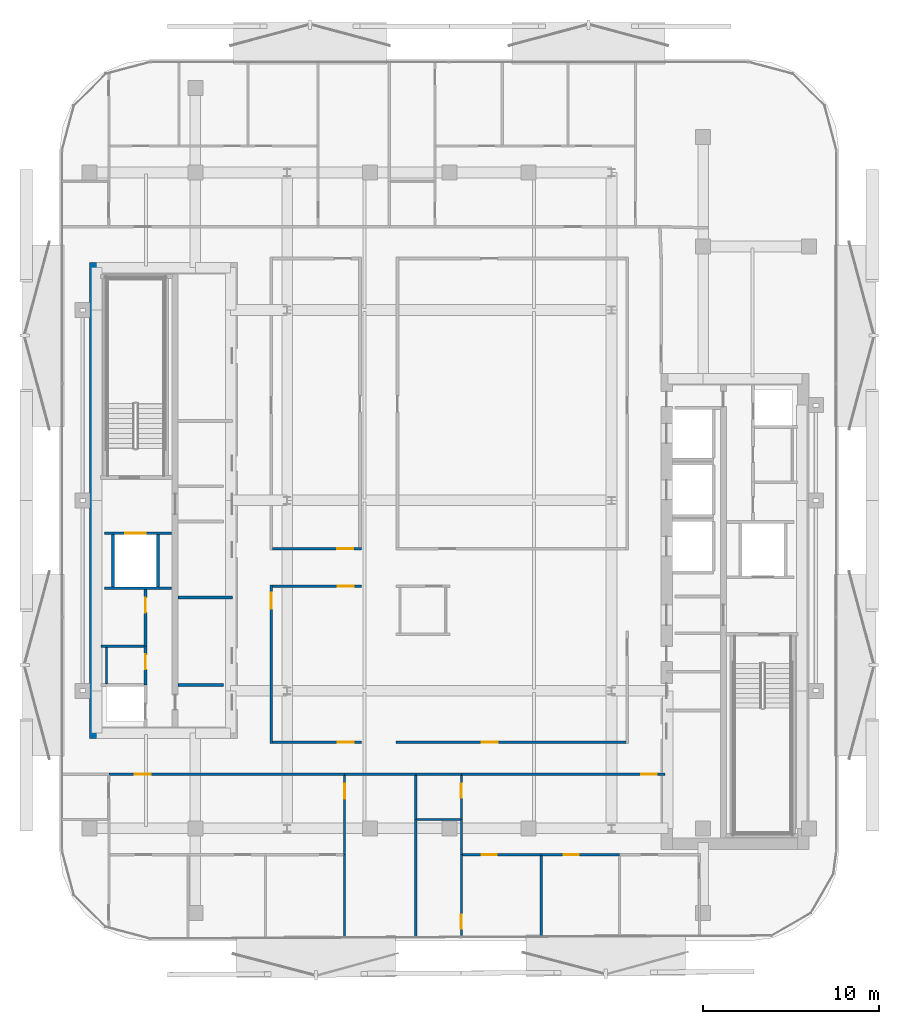
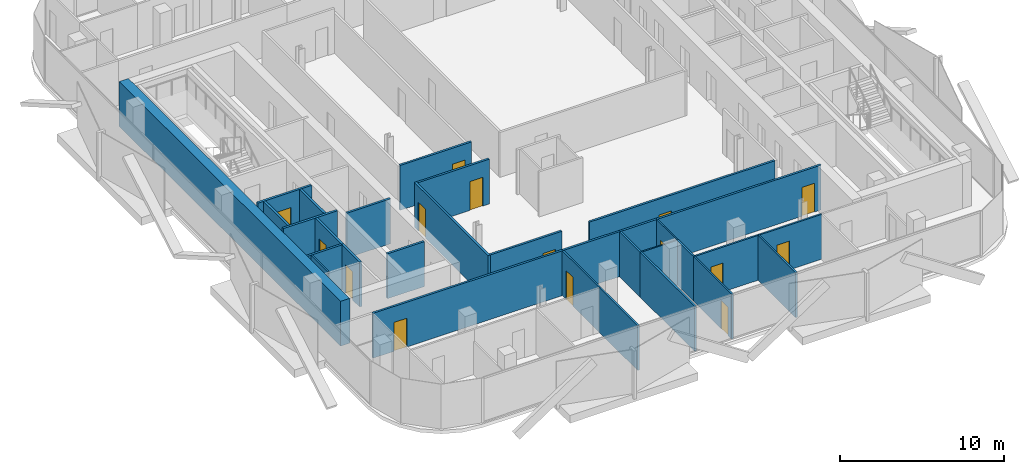
# One storey, part 3 of 14: 31 walls, 15 doors, 15 openings.
"""IFC4 building model written with IfcOpenShell, lengths in metres."""

from ifc_helpers import new_model, si_unit, direction, frame, frame_2d, origin, place, context, subcontext, project, spatial, rectangle, extrude, material, layer, layer_set, type_object, element, fill, save


model = new_model("IFC4")

# Units and contexts
model_context = context("Model", 3, precision=1e-05, world=origin(), true_north=direction((0.0, 1.0)))
body_context = subcontext(model_context, "Body", "Model", "MODEL_VIEW")
ifc_project = project(units=[si_unit("LENGTHUNIT", "METRE"), si_unit("AREAUNIT", "SQUARE_METRE"), si_unit("VOLUMEUNIT", "CUBIC_METRE"), si_unit("PLANEANGLEUNIT", "RADIAN"), si_unit("MASSUNIT", "GRAM", prefix="KILO")], contexts=[model_context])

# Site, building, storey
site_placement = place(None, origin())
site = spatial("IfcSite", under=ifc_project, at=site_placement, CompositionType="ELEMENT")
building_placement = place(site_placement, origin())
building = spatial("IfcBuilding", under=site, at=building_placement, Name="Khairoan Windgate Tower", CompositionType="ELEMENT")
storey_placement = place(building_placement, frame((0.0, 0.0, 233.199951171875)))
storey = spatial("IfcBuildingStorey", under=building, at=storey_placement, Name="L54", CompositionType="ELEMENT", Elevation=233.199951171875)

# Wall
ifc_material_1 = material(Name="Moisture-Resistant Gypsum Partition", Category="gypsum")
ifc_layer_1 = layer(ifc_material_1, 0.10009765625, Name="Moisture-Resistant Gypsum Partition")
ifc_layer_set_1 = layer_set([ifc_layer_1], Name="Moisture-Resistant Gypsum Partition")
wall_type_1 = type_object("IfcWallType", Name="Bathroom Wet-Area Partition Wall", PredefinedType="PARTITIONING", material=ifc_layer_set_1)
wall_1_placement = place(storey_placement, frame((-1.830078125, -18.10009765625, 0.0), z_axis=(0.0, 0.0, 1.0), x_axis=(1.0, 0.0, 0.0)))
element("IfcWall", 1, at=wall_1_placement, inside=storey, type_object=wall_type_1, Name="L54 Interior Partition 080", PredefinedType="PARTITIONING", context=body_context, shape_type="SweptSolid", body=[
    extrude(rectangle(XDim=2.469970703125, YDim=0.10009765625, at=frame_2d((1.23486328125, 0.0))), origin(), (0.0, 0.0, 1.0), 3.340087890625),
])

# Wall, opening, door
wall_2_placement = place(storey_placement, frame((0.68994140625, -18.10009765625, 0.0), z_axis=(0.0, 0.0, 1.0), x_axis=(0.0, 1.0, 0.0)))
wall_2 = element("IfcWall", 2, at=wall_2_placement, inside=storey, type_object=wall_type_1, Name="L54 Interior Partition 081", PredefinedType="PARTITIONING", context=body_context, shape_type="SweptSolid", body=[
    extrude(rectangle(XDim=2.5, YDim=0.10009765625, at=frame_2d((1.25, 0.0))), origin(), (0.0, 0.0, 1.0), 3.340087890625),
])
opening_1_placement = place(wall_2_placement, frame((1.239990234375, 0.0, 0.0)))
opening_1 = element("IfcOpeningElement", 3, at=opening_1_placement, cuts=wall_2, Name="Opening ID-BTH", PredefinedType="OPENING", context=body_context, shape_type="SweptSolid", body=[
    extrude(rectangle(XDim=0.800048828125, YDim=2.10009765625, at=frame_2d((0.39990234375, 1.050048828125))), frame((0.0, 0.06005859375, 0.0), z_axis=(0.0, -1.0, 0.0), x_axis=(1.0, 0.0, 0.0)), (0.0, 0.0, 1.0), 0.1201171875),
])
ifc_material_2 = material(Name="Teak Veneer Timber Leaf", Category="wood")
door_type_1 = type_object("IfcDoorType", Name="Internal Bathroom Door ID-BTH 800x2100", OperationType="NOTDEFINED", PredefinedType="DOOR", material=ifc_material_2)
door_1_placement = place(opening_1_placement, origin())
door_1 = element("IfcDoor", 4, at=door_1_placement, inside=storey, type_object=door_type_1, Name="L54 L54-56-L54-58 Door", OperationType="SINGLE_SWING_LEFT", OverallHeight=2.10009765625, OverallWidth=0.800048828125, PredefinedType="DOOR", context=body_context, shape_type="SweptSolid", body=[
    extrude(rectangle(XDim=0.800048828125, YDim=2.10009765625, at=frame_2d((0.39990234375, 1.050048828125))), frame((0.0, 0.02490234375, 0.0), z_axis=(0.0, -1.0, 0.0), x_axis=(1.0, 0.0, 0.0)), (0.0, 0.0, 1.0), 0.050048828125),
])
fill(opening_1, door_1)

# Wall
wall_3_placement = place(storey_placement, frame((-19.449951171875, -10.389892578125, 0.0), z_axis=(0.0, 0.0, 1.0), x_axis=(0.0, 1.0, 0.0)))
element("IfcWall", 5, at=wall_3_placement, inside=storey, type_object=wall_type_1, Name="L54 Wet Room Side Wall 091", PredefinedType="PARTITIONING", context=body_context, shape_type="SweptSolid", body=[
    extrude(rectangle(XDim=2.039794921875, YDim=0.10009765625, at=frame_2d((1.02001953125, 0.0))), origin(), (0.0, 0.0, 1.0), 3.340087890625),
])

# Wall, opening, door
ifc_material_3 = material(Name="Concrete C40/50", Category="concrete")
ifc_layer_2 = layer(ifc_material_3, 0.159912109375, Name="Concrete C40/50")
ifc_layer_set_2 = layer_set([ifc_layer_2], Name="Concrete C40/50")
wall_type_2 = type_object("IfcWallType", Name="Core and Hoistway Enclosure Wall", PredefinedType="STANDARD", material=ifc_layer_set_2)
wall_4_placement = place(storey_placement, frame((-19.550048828125, -1.860107421875, 0.0), z_axis=(0.0, 0.0, 1.0), x_axis=(1.0, 0.0, 0.0)))
wall_4 = element("IfcWall", 6, at=wall_4_placement, inside=storey, type_object=wall_type_2, Name="L54 Core Shaft Wall SW-FL2-L54", PredefinedType="STANDARD", context=body_context, shape_type="SweptSolid", body=[
    extrude(rectangle(XDim=3.800048828125, YDim=0.159912109375, at=frame_2d((1.89990234375, 0.0))), origin(), (0.0, 0.0, 1.0), 3.340087890625),
])
opening_2_placement = place(wall_4_placement, frame((1.179931640625, 0.0, 0.0)))
opening_2 = element("IfcOpeningElement", 7, at=opening_2_placement, cuts=wall_4, Name="Opening LD-FL", PredefinedType="OPENING", context=body_context, shape_type="SweptSolid", body=[
    extrude(rectangle(XDim=1.14990234375, YDim=2.199951171875, at=frame_2d((0.574951171875, 1.10009765625))), frame((0.0, 0.08984375, 0.0), z_axis=(0.0, -1.0, 0.0), x_axis=(1.0, 0.0, 0.0)), (0.0, 0.0, 1.0), 0.179931640625),
])
ifc_material_4 = material(Name="Steel S355", Category="steel")
door_type_2 = type_object("IfcDoorType", Name="Firefighting Lift Sliding Landing Door LD-FL 1150x2200", OperationType="DOUBLE_DOOR_SLIDING", PredefinedType="DOOR", material=ifc_material_4)
door_2_placement = place(opening_2_placement, origin())
door_2 = element("IfcDoor", 8, at=door_2_placement, inside=storey, type_object=door_type_2, Name="L54 Firefighting Lift FL2 Landing Door", OperationType="DOUBLE_DOOR_SLIDING", OverallHeight=2.199951171875, OverallWidth=1.14990234375, PredefinedType="DOOR", context=body_context, shape_type="SweptSolid", body=[
    extrude(rectangle(XDim=1.14990234375, YDim=2.199951171875, at=frame_2d((0.574951171875, 1.10009765625))), frame((0.0, 0.02490234375, 0.0), z_axis=(0.0, -1.0, 0.0), x_axis=(1.0, 0.0, 0.0)), (0.0, 0.0, 1.0), 0.050048828125),
])
fill(opening_2, door_2)

# Walls
wall_5_placement = place(storey_placement, frame((-19.550048828125, -4.97998046875, 0.0), z_axis=(0.0, 0.0, 1.0), x_axis=(1.0, 0.0, 0.0)))
element("IfcWall", 9, at=wall_5_placement, inside=storey, type_object=wall_type_2, Name="L54 Core Shaft Wall SW-FL2B-L54", PredefinedType="STANDARD", context=body_context, shape_type="SweptSolid", body=[
    extrude(rectangle(XDim=3.800048828125, YDim=0.159912109375, at=frame_2d((1.89990234375, 0.0))), origin(), (0.0, 0.0, 1.0), 3.340087890625),
])
for number, where, z_axis, x_axis, name in (
    (10, (-19.080078125, -4.89990234375, 0.0), (0.0, 0.0, 1.0), (0.0, 1.0, 0.0), "L54 Core Shaft Wall SW-FL2W-L54"),
    (11, (-16.52001953125, -4.89990234375, 0.0), (0.0, 0.0, 1.0), (0.0, 1.0, 0.0), "L54 Core Shaft Wall SW-FL2E-L54"),
):
    element("IfcWall", number, at=place(storey_placement, frame(where, z_axis=z_axis, x_axis=x_axis)), inside=storey, type_object=wall_type_2, Name=name, PredefinedType="STANDARD", context=body_context, shape_type="SweptSolid", body=[
        extrude(rectangle(XDim=2.9599609375, YDim=0.159912109375, at=frame_2d((1.47998046875, 0.0))), origin(), (0.0, 0.0, 1.0), 3.340087890625),
    ])
wall_6_placement = place(storey_placement, frame((-15.39990234375, -10.47998046875, 0.0), z_axis=(0.0, 0.0, 1.0), x_axis=(1.0, 0.0, 0.0)))
element("IfcWall", 12, at=wall_6_placement, inside=storey, type_object=wall_type_2, Name="L54 Core Shaft Wall SW-WSV-L54", PredefinedType="STANDARD", context=body_context, shape_type="SweptSolid", body=[
    extrude(rectangle(XDim=2.599853515625, YDim=0.159912109375, at=frame_2d((1.2998046875, 0.0))), origin(), (0.0, 0.0, 1.0), 3.340087890625),
])
ifc_material_5 = material(Name="Acoustic Fire-Rated Gypsum Partition", Category="gypsum")
ifc_layer_3 = layer(ifc_material_5, 0.139892578125, Name="Acoustic Fire-Rated Gypsum Partition")
ifc_layer_set_3 = layer_set([ifc_layer_3], Name="Acoustic Fire-Rated Gypsum Partition")
wall_type_3 = type_object("IfcWallType", Name="Inter-Tenancy Compartment Wall", PredefinedType="PARTITIONING", material=ifc_layer_set_3)
wall_7_placement = place(storey_placement, frame((-1.89990234375, -18.10009765625, 0.0), z_axis=(0.0, 0.0, 1.0), x_axis=(0.0, 1.0, 0.0)))
element("IfcWall", 13, at=wall_7_placement, inside=storey, type_object=wall_type_3, Name="L54 Interior Partition 076", PredefinedType="PARTITIONING", context=body_context, shape_type="SweptSolid", body=[
    extrude(rectangle(XDim=2.5, YDim=0.139892578125, at=frame_2d((1.25, 0.0))), origin(), (0.0, 0.0, 1.0), 3.340087890625),
])
wall_8_placement = place(storey_placement, frame((-1.89990234375, -24.7822265625, 0.0), z_axis=(0.0, 0.0, 1.0), x_axis=(0.0, 1.0, 0.0)))
element("IfcWall", 14, at=wall_8_placement, inside=storey, type_object=wall_type_3, Name="L54 Interior Partition 077", PredefinedType="PARTITIONING", context=body_context, shape_type="SweptSolid", body=[
    extrude(rectangle(XDim=6.68212890625, YDim=0.139892578125, at=frame_2d((3.341064453125, 0.0))), origin(), (0.0, 0.0, 1.0), 3.340087890625),
])

# Wall, opening, door
ifc_material_6 = material(Name="Gypsum Stud Partition", Category="gypsum")
ifc_layer_4 = layer(ifc_material_6, 0.1201171875, Name="Gypsum Stud Partition")
ifc_layer_set_4 = layer_set([ifc_layer_4], Name="Gypsum Stud Partition")
wall_type_4 = type_object("IfcWallType", Name="Internal Room Partition Wall", PredefinedType="PARTITIONING", material=ifc_layer_set_4)
wall_9_placement = place(storey_placement, frame((-5.93994140625, -20.10009765625, 0.0), z_axis=(0.0, 0.0, 1.0), x_axis=(0.0, 1.0, 0.0)))
wall_9 = element("IfcWall", 15, at=wall_9_placement, inside=storey, type_object=wall_type_4, Name="L54 Interior Partition 071", PredefinedType="PARTITIONING", context=body_context, shape_type="SweptSolid", body=[
    extrude(rectangle(XDim=4.5, YDim=0.1201171875, at=frame_2d((2.25, 0.0))), origin(), (0.0, 0.0, 1.0), 3.340087890625),
])
opening_3_placement = place(wall_9_placement, frame((3.179931640625, 0.0, 0.0)))
opening_3 = element("IfcOpeningElement", 16, at=opening_3_placement, cuts=wall_9, Name="Opening ID-RM", PredefinedType="OPENING", context=body_context, shape_type="SweptSolid", body=[
    extrude(rectangle(XDim=0.860107421875, YDim=2.14990234375, at=frame_2d((0.43017578125, 1.074951171875))), frame((0.0, 0.070068359375, 0.0), z_axis=(0.0, -1.0, 0.0), x_axis=(1.0, 0.0, 0.0)), (0.0, 0.0, 1.0), 0.14013671875),
])
ifc_material_7 = material(Name="Teak Veneer Timber Leaf", Category="wood")
door_type_3 = type_object("IfcDoorType", Name="Internal Bedroom and Office Door ID-RM 860x2150", OperationType="NOTDEFINED", PredefinedType="DOOR", material=ifc_material_7)
door_3_placement = place(opening_3_placement, origin())
door_3 = element("IfcDoor", 17, at=door_3_placement, inside=storey, type_object=door_type_3, Name="L54 L54-51-L54-52 Door", OperationType="SINGLE_SWING_LEFT", OverallHeight=2.14990234375, OverallWidth=0.860107421875, PredefinedType="DOOR", context=body_context, shape_type="SweptSolid", body=[
    extrude(rectangle(XDim=0.860107421875, YDim=2.14990234375, at=frame_2d((0.43017578125, 1.074951171875))), frame((0.0, 0.02490234375, 0.0), z_axis=(0.0, -1.0, 0.0), x_axis=(1.0, 0.0, 0.0)), (0.0, 0.0, 1.0), 0.050048828125),
])
fill(opening_3, door_3)

# Walls
wall_10_placement = place(storey_placement, frame((-5.93994140625, -24.8017578125, 0.0), z_axis=(0.0, 0.0, 1.0), x_axis=(0.0, 1.0, 0.0)))
element("IfcWall", 18, at=wall_10_placement, inside=storey, type_object=wall_type_4, Name="L54 Interior Partition 075", PredefinedType="PARTITIONING", context=body_context, shape_type="SweptSolid", body=[
    extrude(rectangle(XDim=4.70166015625, YDim=0.1201171875, at=frame_2d((2.350830078125, 0.0))), origin(), (0.0, 0.0, 1.0), 3.340087890625),
])
wall_11_placement = place(storey_placement, frame((0.68994140625, -20.10009765625, 0.0), z_axis=(0.0, 0.0, 1.0), x_axis=(0.0, 1.0, 0.0)))
element("IfcWall", 19, at=wall_11_placement, inside=storey, type_object=wall_type_4, Name="L54 Interior Partition 082", PredefinedType="PARTITIONING", context=body_context, shape_type="SweptSolid", body=[
    extrude(rectangle(XDim=2.0, YDim=0.1201171875, at=frame_2d((1.0, 0.0))), origin(), (0.0, 0.0, 1.0), 3.340087890625),
])

# Wall, opening, door
wall_12_placement = place(storey_placement, frame((0.68994140625, -24.769775390625, 0.0), z_axis=(0.0, 0.0, 1.0), x_axis=(0.0, 1.0, 0.0)))
wall_12 = element("IfcWall", 20, at=wall_12_placement, inside=storey, type_object=wall_type_4, Name="L54 Interior Partition 083", PredefinedType="PARTITIONING", context=body_context, shape_type="SweptSolid", body=[
    extrude(rectangle(XDim=4.669677734375, YDim=0.1201171875, at=frame_2d((2.3349609375, 0.0))), origin(), (0.0, 0.0, 1.0), 3.340087890625),
])
opening_4_placement = place(wall_12_placement, frame((0.4599609375, 0.0, 0.0)))
opening_4 = element("IfcOpeningElement", 21, at=opening_4_placement, cuts=wall_12, Name="Opening ID-BTH", PredefinedType="OPENING", context=body_context, shape_type="SweptSolid", body=[
    extrude(rectangle(XDim=0.800048828125, YDim=2.10009765625, at=frame_2d((0.39990234375, 1.050048828125))), frame((0.0, 0.070068359375, 0.0), z_axis=(0.0, -1.0, 0.0), x_axis=(1.0, 0.0, 0.0)), (0.0, 0.0, 1.0), 0.14013671875),
])
door_4_placement = place(opening_4_placement, origin())
door_4 = element("IfcDoor", 22, at=door_4_placement, inside=storey, type_object=door_type_1, Name="L54 L54-57-L54-60 Door", OperationType="SINGLE_SWING_LEFT", OverallHeight=2.10009765625, OverallWidth=0.800048828125, PredefinedType="DOOR", context=body_context, shape_type="SweptSolid", body=[
    extrude(rectangle(XDim=0.800048828125, YDim=2.10009765625, at=frame_2d((0.39990234375, 1.050048828125))), frame((0.0, 0.02490234375, 0.0), z_axis=(0.0, -1.0, 0.0), x_axis=(1.0, 0.0, 0.0)), (0.0, 0.0, 1.0), 0.050048828125),
])
fill(opening_4, door_4)

wall_13_placement = place(storey_placement, frame((0.75, -20.10009765625, 0.0), z_axis=(0.0, 0.0, 1.0), x_axis=(1.0, 0.0, 0.0)))
wall_13 = element("IfcWall", 23, at=wall_13_placement, inside=storey, type_object=wall_type_4, Name="L54 Interior Partition 084", PredefinedType="PARTITIONING", context=body_context, shape_type="SweptSolid", body=[
    extrude(rectangle(XDim=4.467041015625, YDim=0.1201171875, at=frame_2d((2.2333984375, 0.0))), origin(), (0.0, 0.0, 1.0), 3.340087890625),
])
opening_5_placement = place(wall_13_placement, frame((1.080078125, 0.0, 0.0)))
opening_5 = element("IfcOpeningElement", 24, at=opening_5_placement, cuts=wall_13, Name="Opening ID-RM", PredefinedType="OPENING", context=body_context, shape_type="SweptSolid", body=[
    extrude(rectangle(XDim=0.860107421875, YDim=2.14990234375, at=frame_2d((0.43017578125, 1.074951171875))), frame((0.0, 0.070068359375, 0.0), z_axis=(0.0, -1.0, 0.0), x_axis=(1.0, 0.0, 0.0)), (0.0, 0.0, 1.0), 0.14013671875),
])
door_5_placement = place(opening_5_placement, origin())
door_5 = element("IfcDoor", 25, at=door_5_placement, inside=storey, type_object=door_type_3, Name="L54 L54-58-L54-60 Door", OperationType="SINGLE_SWING_LEFT", OverallHeight=2.14990234375, OverallWidth=0.860107421875, PredefinedType="DOOR", context=body_context, shape_type="SweptSolid", body=[
    extrude(rectangle(XDim=0.860107421875, YDim=2.14990234375, at=frame_2d((0.43017578125, 1.074951171875))), frame((0.0, 0.02490234375, 0.0), z_axis=(0.0, -1.0, 0.0), x_axis=(1.0, 0.0, 0.0)), (0.0, 0.0, 1.0), 0.050048828125),
])
fill(opening_5, door_5)

wall_14_placement = place(storey_placement, frame((5.217041015625, -20.10009765625, 0.0), z_axis=(0.0, 0.0, 1.0), x_axis=(1.0, 0.0, 0.0)))
wall_14 = element("IfcWall", 26, at=wall_14_placement, inside=storey, type_object=wall_type_4, Name="L54 Interior Partition 085", PredefinedType="PARTITIONING", context=body_context, shape_type="SweptSolid", body=[
    extrude(rectangle(XDim=4.446044921875, YDim=0.1201171875, at=frame_2d((2.22314453125, 0.0))), origin(), (0.0, 0.0, 1.0), 3.340087890625),
])
opening_6_placement = place(wall_14_placement, frame((1.2802734375, 0.0, 0.0)))
opening_6 = element("IfcOpeningElement", 27, at=opening_6_placement, cuts=wall_14, Name="Opening ID-RM", PredefinedType="OPENING", context=body_context, shape_type="SweptSolid", body=[
    extrude(rectangle(XDim=0.860107421875, YDim=2.14990234375, at=frame_2d((0.43017578125, 1.074951171875))), frame((0.0, 0.070068359375, 0.0), z_axis=(0.0, -1.0, 0.0), x_axis=(1.0, 0.0, 0.0)), (0.0, 0.0, 1.0), 0.14013671875),
])
door_6_placement = place(opening_6_placement, origin())
door_6 = element("IfcDoor", 28, at=door_6_placement, inside=storey, type_object=door_type_3, Name="L54 L54-58-L54-61 Door", OperationType="SINGLE_SWING_RIGHT", OverallHeight=2.14990234375, OverallWidth=0.860107421875, PredefinedType="DOOR", context=body_context, shape_type="SweptSolid", body=[
    extrude(rectangle(XDim=0.860107421875, YDim=2.14990234375, at=frame_2d((0.43017578125, 1.074951171875))), frame((0.0, 0.02490234375, 0.0), z_axis=(0.0, -1.0, 0.0), x_axis=(1.0, 0.0, 0.0)), (0.0, 0.0, 1.0), 0.050048828125),
])
fill(opening_6, door_6)

# Wall
wall_15_placement = place(storey_placement, frame((5.217041015625, -24.747802734375, 0.0), z_axis=(0.0, 0.0, 1.0), x_axis=(0.0, 1.0, 0.0)))
element("IfcWall", 29, at=wall_15_placement, inside=storey, type_object=wall_type_4, Name="L54 Interior Partition 088", PredefinedType="PARTITIONING", context=body_context, shape_type="SweptSolid", body=[
    extrude(rectangle(XDim=4.587890625, YDim=0.1201171875, at=frame_2d((2.2939453125, 0.0))), origin(), (0.0, 0.0, 1.0), 3.340087890625),
])

# Wall, opening, door
ifc_material_8 = material(Name="Concrete C40/50", Category="concrete")
ifc_layer_5 = layer(ifc_material_8, 0.159912109375, Name="Concrete C40/50")
ifc_layer_set_5 = layer_set([ifc_layer_5], Name="Concrete C40/50")
wall_type_5 = type_object("IfcWallType", Name="Plant and Refuge Compartment Wall", PredefinedType="PARTITIONING", material=ifc_layer_set_5)
wall_16_placement = place(storey_placement, frame((-17.22998046875, -10.469970703125, 0.0), z_axis=(0.0, 0.0, 1.0), x_axis=(0.0, 1.0, 0.0)))
wall_16 = element("IfcWall", 30, at=wall_16_placement, inside=storey, type_object=wall_type_5, Name="L54 Interior Partition 002", PredefinedType="PARTITIONING", context=body_context, shape_type="SweptSolid", body=[
    extrude(rectangle(XDim=2.199951171875, YDim=0.159912109375, at=frame_2d((1.10009765625, 0.0))), origin(), (0.0, 0.0, 1.0), 3.340087890625),
])
opening_7_placement = place(wall_16_placement, frame((0.889892578125, 0.0, 0.0)))
opening_7 = element("IfcOpeningElement", 31, at=opening_7_placement, cuts=wall_16, Name="Opening FD-SRV", PredefinedType="OPENING", context=body_context, shape_type="SweptSolid", body=[
    extrude(rectangle(XDim=0.85009765625, YDim=2.10009765625, at=frame_2d((0.425048828125, 1.050048828125))), frame((0.0, 0.08984375, 0.0), z_axis=(0.0, -1.0, 0.0), x_axis=(1.0, 0.0, 0.0)), (0.0, 0.0, 1.0), 0.179931640625),
])
ifc_material_9 = material(Name="Steel S355", Category="steel")
door_type_4 = type_object("IfcDoorType", Name="Core Service and Riser Fire Door FD-SRV 850x2100", OperationType="NOTDEFINED", PredefinedType="DOOR", material=ifc_material_9)
door_7_placement = place(opening_7_placement, origin())
door_7 = element("IfcDoor", 32, at=door_7_placement, inside=storey, type_object=door_type_4, Name="L54 L54-04-L54-06 Door", OperationType="SINGLE_SWING_RIGHT", OverallHeight=2.10009765625, OverallWidth=0.85009765625, PredefinedType="DOOR", context=body_context, shape_type="SweptSolid", body=[
    extrude(rectangle(XDim=0.85009765625, YDim=2.10009765625, at=frame_2d((0.425048828125, 1.050048828125))), frame((0.0, 0.02490234375, 0.0), z_axis=(0.0, -1.0, 0.0), x_axis=(1.0, 0.0, 0.0)), (0.0, 0.0, 1.0), 0.050048828125),
])
fill(opening_7, door_7)

wall_17_placement = place(storey_placement, frame((-17.22998046875, -8.27001953125, 0.0), z_axis=(0.0, 0.0, 1.0), x_axis=(0.0, 1.0, 0.0)))
wall_17 = element("IfcWall", 33, at=wall_17_placement, inside=storey, type_object=wall_type_5, Name="L54 Interior Partition 003", PredefinedType="PARTITIONING", context=body_context, shape_type="SweptSolid", body=[
    extrude(rectangle(XDim=3.2099609375, YDim=0.159912109375, at=frame_2d((1.60498046875, 0.0))), origin(), (0.0, 0.0, 1.0), 3.340087890625),
])
opening_8_placement = place(wall_17_placement, frame((1.89990234375, 0.0, 0.0)))
opening_8 = element("IfcOpeningElement", 34, at=opening_8_placement, cuts=wall_17, Name="Opening FD-SRV", PredefinedType="OPENING", context=body_context, shape_type="SweptSolid", body=[
    extrude(rectangle(XDim=0.85009765625, YDim=2.10009765625, at=frame_2d((0.425048828125, 1.050048828125))), frame((0.0, 0.08984375, 0.0), z_axis=(0.0, -1.0, 0.0), x_axis=(1.0, 0.0, 0.0)), (0.0, 0.0, 1.0), 0.179931640625),
])
door_8_placement = place(opening_8_placement, origin())
door_8 = element("IfcDoor", 35, at=door_8_placement, inside=storey, type_object=door_type_4, Name="L54 L54-04-L54-07 Door", OperationType="SINGLE_SWING_LEFT", OverallHeight=2.10009765625, OverallWidth=0.85009765625, PredefinedType="DOOR", context=body_context, shape_type="SweptSolid", body=[
    extrude(rectangle(XDim=0.85009765625, YDim=2.10009765625, at=frame_2d((0.425048828125, 1.050048828125))), frame((0.0, 0.02490234375, 0.0), z_axis=(0.0, -1.0, 0.0), x_axis=(1.0, 0.0, 0.0)), (0.0, 0.0, 1.0), 0.050048828125),
])
fill(opening_8, door_8)

# Walls
wall_18_placement = place(storey_placement, frame((-19.75, -8.27001953125, 0.0), z_axis=(0.0, 0.0, 1.0), x_axis=(1.0, 0.0, 0.0)))
element("IfcWall", 36, at=wall_18_placement, inside=storey, type_object=wall_type_5, Name="L54 Interior Partition 005", PredefinedType="PARTITIONING", context=body_context, shape_type="SweptSolid", body=[
    extrude(rectangle(XDim=2.43994140625, YDim=0.159912109375, at=frame_2d((1.219970703125, 0.0))), origin(), (0.0, 0.0, 1.0), 3.340087890625),
])
wall_19_placement = place(storey_placement, frame((-15.375, -5.5, 0.0), z_axis=(0.0, 0.0, 1.0), x_axis=(1.0, 0.0, 0.0)))
element("IfcWall", 37, at=wall_19_placement, inside=storey, type_object=wall_type_5, Name="L54 Interior Partition 007", PredefinedType="PARTITIONING", context=body_context, shape_type="SweptSolid", body=[
    extrude(rectangle(XDim=3.06494140625, YDim=0.159912109375, at=frame_2d((1.532470703125, 0.0))), origin(), (0.0, 0.0, 1.0), 3.340087890625),
])

# Wall, opening, door
ifc_material_10 = material(Name="Acoustic Fire-Rated Gypsum Partition", Category="gypsum")
ifc_layer_6 = layer(ifc_material_10, 0.14990234375, Name="Acoustic Fire-Rated Gypsum Partition")
ifc_layer_set_6 = layer_set([ifc_layer_6], Name="Acoustic Fire-Rated Gypsum Partition")
wall_type_6 = type_object("IfcWallType", Name="Rated Corridor Partition Wall", PredefinedType="PARTITIONING", material=ifc_layer_set_6)
wall_20_placement = place(storey_placement, frame((-10.10009765625, -13.794921875, 0.0), z_axis=(0.0, 0.0, 1.0), x_axis=(0.0, 1.0, 0.0)))
wall_20 = element("IfcWall", 38, at=wall_20_placement, inside=storey, type_object=wall_type_6, Name="L54 Interior Partition 016", PredefinedType="PARTITIONING", context=body_context, shape_type="SweptSolid", body=[
    extrude(rectangle(XDim=9.0048828125, YDim=0.14990234375, at=frame_2d((4.50244140625, 0.0))), origin(), (0.0, 0.0, 1.0), 3.340087890625),
])
opening_9_placement = place(wall_20_placement, frame((7.64501953125, 0.0, 0.0)))
opening_9 = element("IfcOpeningElement", 39, at=opening_9_placement, cuts=wall_20, Name="Opening FD-ENT", PredefinedType="OPENING", context=body_context, shape_type="SweptSolid", body=[
    extrude(rectangle(XDim=0.89990234375, YDim=2.14990234375, at=frame_2d((0.449951171875, 1.074951171875))), frame((0.0, 0.0849609375, 0.0), z_axis=(0.0, -1.0, 0.0), x_axis=(1.0, 0.0, 0.0)), (0.0, 0.0, 1.0), 0.169921875),
])
ifc_material_11 = material(Name="Timber Fire-Rated Core", Category="wood")
door_type_5 = type_object("IfcDoorType", Name="Unit and Office Fire Entrance Door FD-ENT 900x2150", OperationType="NOTDEFINED", PredefinedType="DOOR", material=ifc_material_11)
door_9_placement = place(opening_9_placement, origin())
door_9 = element("IfcDoor", 40, at=door_9_placement, inside=storey, type_object=door_type_5, Name="L54 L54-29-L54-65 Door", OperationType="SINGLE_SWING_RIGHT", OverallHeight=2.14990234375, OverallWidth=0.89990234375, PredefinedType="DOOR", context=body_context, shape_type="SweptSolid", body=[
    extrude(rectangle(XDim=0.89990234375, YDim=2.14990234375, at=frame_2d((0.449951171875, 1.074951171875))), frame((0.0, 0.02490234375, 0.0), z_axis=(0.0, -1.0, 0.0), x_axis=(1.0, 0.0, 0.0)), (0.0, 0.0, 1.0), 0.050048828125),
])
fill(opening_9, door_9)

wall_21_placement = place(storey_placement, frame((-10.02490234375, -2.735107421875, 0.0), z_axis=(0.0, 0.0, 1.0), x_axis=(1.0, 0.0, 0.0)))
wall_21 = element("IfcWall", 41, at=wall_21_placement, inside=storey, type_object=wall_type_6, Name="L54 Interior Partition 020", PredefinedType="PARTITIONING", context=body_context, shape_type="SweptSolid", body=[
    extrude(rectangle(XDim=5.034912109375, YDim=0.14990234375, at=frame_2d((2.517578125, 0.0))), origin(), (0.0, 0.0, 1.0), 3.340087890625),
])
opening_10_placement = place(wall_21_placement, frame((3.675048828125, 0.0, 0.0)))
opening_10 = element("IfcOpeningElement", 42, at=opening_10_placement, cuts=wall_21, Name="Opening FD-ENT", PredefinedType="OPENING", context=body_context, shape_type="SweptSolid", body=[
    extrude(rectangle(XDim=0.89990234375, YDim=2.14990234375, at=frame_2d((0.449951171875, 1.074951171875))), frame((0.0, 0.0849609375, 0.0), z_axis=(0.0, -1.0, 0.0), x_axis=(1.0, 0.0, 0.0)), (0.0, 0.0, 1.0), 0.169921875),
])
door_10_placement = place(opening_10_placement, origin())
door_10 = element("IfcDoor", 43, at=door_10_placement, inside=storey, type_object=door_type_5, Name="L54 L54-31-L54-64 Door", OperationType="SINGLE_SWING_RIGHT", OverallHeight=2.14990234375, OverallWidth=0.89990234375, PredefinedType="DOOR", context=body_context, shape_type="SweptSolid", body=[
    extrude(rectangle(XDim=0.89990234375, YDim=2.14990234375, at=frame_2d((0.449951171875, 1.074951171875))), frame((0.0, 0.02490234375, 0.0), z_axis=(0.0, -1.0, 0.0), x_axis=(1.0, 0.0, 0.0)), (0.0, 0.0, 1.0), 0.050048828125),
])
fill(opening_10, door_10)

wall_22_placement = place(storey_placement, frame((-10.02490234375, -4.864990234375, 0.0), z_axis=(0.0, 0.0, 1.0), x_axis=(1.0, 0.0, 0.0)))
wall_22 = element("IfcWall", 44, at=wall_22_placement, inside=storey, type_object=wall_type_6, Name="L54 Interior Partition 021", PredefinedType="PARTITIONING", context=body_context, shape_type="SweptSolid", body=[
    extrude(rectangle(XDim=5.054931640625, YDim=0.14990234375, at=frame_2d((2.52734375, 0.0))), origin(), (0.0, 0.0, 1.0), 3.340087890625),
])
opening_11_placement = place(wall_22_placement, frame((3.695068359375, 0.0, 0.0)))
opening_11 = element("IfcOpeningElement", 45, at=opening_11_placement, cuts=wall_22, Name="Opening FD-ENT", PredefinedType="OPENING", context=body_context, shape_type="SweptSolid", body=[
    extrude(rectangle(XDim=0.89990234375, YDim=2.14990234375, at=frame_2d((0.449951171875, 1.074951171875))), frame((0.0, 0.0849609375, 0.0), z_axis=(0.0, -1.0, 0.0), x_axis=(1.0, 0.0, 0.0)), (0.0, 0.0, 1.0), 0.169921875),
])
door_11_placement = place(opening_11_placement, origin())
door_11 = element("IfcDoor", 46, at=door_11_placement, inside=storey, type_object=door_type_5, Name="L54 L54-31-L54-65 Door", OperationType="SINGLE_SWING_LEFT", OverallHeight=2.14990234375, OverallWidth=0.89990234375, PredefinedType="DOOR", context=body_context, shape_type="SweptSolid", body=[
    extrude(rectangle(XDim=0.89990234375, YDim=2.14990234375, at=frame_2d((0.449951171875, 1.074951171875))), frame((0.0, 0.02490234375, 0.0), z_axis=(0.0, -1.0, 0.0), x_axis=(1.0, 0.0, 0.0)), (0.0, 0.0, 1.0), 0.050048828125),
])
fill(opening_11, door_11)

wall_23_placement = place(storey_placement, frame((-19.31005859375, -15.52490234375, 0.0), z_axis=(0.0, 0.0, 1.0), x_axis=(1.0, 0.0, 0.0)))
wall_23 = element("IfcWall", 47, at=wall_23_placement, inside=storey, type_object=wall_type_6, Name="L54 Interior Partition 036", PredefinedType="PARTITIONING", context=body_context, shape_type="SweptSolid", body=[
    extrude(rectangle(XDim=13.3701171875, YDim=0.14990234375, at=frame_2d((6.68505859375, 0.0))), origin(), (0.0, 0.0, 1.0), 3.340087890625),
])
opening_12_placement = place(wall_23_placement, frame((1.47314453125, 0.0, 0.0)))
opening_12 = element("IfcOpeningElement", 48, at=opening_12_placement, cuts=wall_23, Name="Opening FD-ENT", PredefinedType="OPENING", context=body_context, shape_type="SweptSolid", body=[
    extrude(rectangle(XDim=0.89990234375, YDim=2.14990234375, at=frame_2d((0.449951171875, 1.074951171875))), frame((0.0, 0.0849609375, 0.0), z_axis=(0.0, -1.0, 0.0), x_axis=(1.0, 0.0, 0.0)), (0.0, 0.0, 1.0), 0.169921875),
])
door_12_placement = place(opening_12_placement, origin())
door_12 = element("IfcDoor", 49, at=door_12_placement, inside=storey, type_object=door_type_5, Name="L54 L54-34-L54-51 Door", OperationType="SINGLE_SWING_LEFT", OverallHeight=2.14990234375, OverallWidth=0.89990234375, PredefinedType="DOOR", context=body_context, shape_type="SweptSolid", body=[
    extrude(rectangle(XDim=0.89990234375, YDim=2.14990234375, at=frame_2d((0.449951171875, 1.074951171875))), frame((0.0, 0.02490234375, 0.0), z_axis=(0.0, -1.0, 0.0), x_axis=(1.0, 0.0, 0.0)), (0.0, 0.0, 1.0), 0.050048828125),
])
fill(opening_12, door_12)

# Walls
wall_24_placement = place(storey_placement, frame((-5.93994140625, -15.52490234375, 0.0), z_axis=(0.0, 0.0, 1.0), x_axis=(1.0, 0.0, 0.0)))
element("IfcWall", 50, at=wall_24_placement, inside=storey, type_object=wall_type_6, Name="L54 Interior Partition 037", PredefinedType="PARTITIONING", context=body_context, shape_type="SweptSolid", body=[
    extrude(rectangle(XDim=4.0400390625, YDim=0.14990234375, at=frame_2d((2.02001953125, 0.0))), origin(), (0.0, 0.0, 1.0), 3.340087890625),
])
wall_25_placement = place(storey_placement, frame((-1.89990234375, -15.52490234375, 0.0), z_axis=(0.0, 0.0, 1.0), x_axis=(1.0, 0.0, 0.0)))
element("IfcWall", 51, at=wall_25_placement, inside=storey, type_object=wall_type_6, Name="L54 Interior Partition 038", PredefinedType="PARTITIONING", context=body_context, shape_type="SweptSolid", body=[
    extrude(rectangle(XDim=2.58984375, YDim=0.14990234375, at=frame_2d((1.294921875, 0.0))), origin(), (0.0, 0.0, 1.0), 3.340087890625),
])

# Wall, opening, door
wall_26_placement = place(storey_placement, frame((0.68994140625, -15.52490234375, 0.0), z_axis=(0.0, 0.0, 1.0), x_axis=(1.0, 0.0, 0.0)))
wall_26 = element("IfcWall", 52, at=wall_26_placement, inside=storey, type_object=wall_type_6, Name="L54 Interior Partition 039", PredefinedType="PARTITIONING", context=body_context, shape_type="SweptSolid", body=[
    extrude(rectangle(XDim=11.550048828125, YDim=0.14990234375, at=frame_2d((5.77490234375, 0.0))), origin(), (0.0, 0.0, 1.0), 3.340087890625),
])
opening_13_placement = place(wall_26_placement, frame((10.18994140625, 0.0, 0.0)))
opening_13 = element("IfcOpeningElement", 53, at=opening_13_placement, cuts=wall_26, Name="Opening FD-ENT", PredefinedType="OPENING", context=body_context, shape_type="SweptSolid", body=[
    extrude(rectangle(XDim=0.89990234375, YDim=2.14990234375, at=frame_2d((0.449951171875, 1.074951171875))), frame((0.0, 0.0849609375, 0.0), z_axis=(0.0, -1.0, 0.0), x_axis=(1.0, 0.0, 0.0)), (0.0, 0.0, 1.0), 0.169921875),
])
door_13_placement = place(opening_13_placement, origin())
door_13 = element("IfcDoor", 54, at=door_13_placement, inside=storey, type_object=door_type_5, Name="L54 L54-34-L54-58 Door", OperationType="SINGLE_SWING_RIGHT", OverallHeight=2.14990234375, OverallWidth=0.89990234375, PredefinedType="DOOR", context=body_context, shape_type="SweptSolid", body=[
    extrude(rectangle(XDim=0.89990234375, YDim=2.14990234375, at=frame_2d((0.449951171875, 1.074951171875))), frame((0.0, 0.02490234375, 0.0), z_axis=(0.0, -1.0, 0.0), x_axis=(1.0, 0.0, 0.0)), (0.0, 0.0, 1.0), 0.050048828125),
])
fill(opening_13, door_13)

wall_27_placement = place(storey_placement, frame((-10.02490234375, -13.719970703125, 0.0), z_axis=(0.0, 0.0, 1.0), x_axis=(1.0, 0.0, 0.0)))
wall_27 = element("IfcWall", 55, at=wall_27_placement, inside=storey, type_object=wall_type_6, Name="L54 Interior Partition 040", PredefinedType="PARTITIONING", context=body_context, shape_type="SweptSolid", body=[
    extrude(rectangle(XDim=5.054931640625, YDim=0.14990234375, at=frame_2d((2.52734375, 0.0))), origin(), (0.0, 0.0, 1.0), 3.340087890625),
])
opening_14_placement = place(wall_27_placement, frame((3.695068359375, 0.0, 0.0)))
opening_14 = element("IfcOpeningElement", 56, at=opening_14_placement, cuts=wall_27, Name="Opening FD-ENT", PredefinedType="OPENING", context=body_context, shape_type="SweptSolid", body=[
    extrude(rectangle(XDim=0.89990234375, YDim=2.14990234375, at=frame_2d((0.449951171875, 1.074951171875))), frame((0.0, 0.0849609375, 0.0), z_axis=(0.0, -1.0, 0.0), x_axis=(1.0, 0.0, 0.0)), (0.0, 0.0, 1.0), 0.169921875),
])
door_14_placement = place(opening_14_placement, origin())
door_14 = element("IfcDoor", 57, at=door_14_placement, inside=storey, type_object=door_type_5, Name="L54 L54-34-L54-65 Door", OperationType="SINGLE_SWING_LEFT", OverallHeight=2.14990234375, OverallWidth=0.89990234375, PredefinedType="DOOR", context=body_context, shape_type="SweptSolid", body=[
    extrude(rectangle(XDim=0.89990234375, YDim=2.14990234375, at=frame_2d((0.449951171875, 1.074951171875))), frame((0.0, 0.02490234375, 0.0), z_axis=(0.0, -1.0, 0.0), x_axis=(1.0, 0.0, 0.0)), (0.0, 0.0, 1.0), 0.050048828125),
])
fill(opening_14, door_14)

wall_28_placement = place(storey_placement, frame((-3.030029296875, -13.719970703125, 0.0), z_axis=(0.0, 0.0, 1.0), x_axis=(1.0, 0.0, 0.0)))
wall_28 = element("IfcWall", 58, at=wall_28_placement, inside=storey, type_object=wall_type_6, Name="L54 Interior Partition 041", PredefinedType="PARTITIONING", context=body_context, shape_type="SweptSolid", body=[
    extrude(rectangle(XDim=13.054931640625, YDim=0.14990234375, at=frame_2d((6.52734375, 0.0))), origin(), (0.0, 0.0, 1.0), 3.340087890625),
])
opening_15_placement = place(wall_28_placement, frame((4.873779296875, 0.0, 0.0)))
opening_15 = element("IfcOpeningElement", 59, at=opening_15_placement, cuts=wall_28, Name="Opening FD-ENT", PredefinedType="OPENING", context=body_context, shape_type="SweptSolid", body=[
    extrude(rectangle(XDim=0.89990234375, YDim=2.14990234375, at=frame_2d((0.449951171875, 1.074951171875))), frame((0.0, 0.0849609375, 0.0), z_axis=(0.0, -1.0, 0.0), x_axis=(1.0, 0.0, 0.0)), (0.0, 0.0, 1.0), 0.169921875),
])
door_15_placement = place(opening_15_placement, origin())
door_15 = element("IfcDoor", 60, at=door_15_placement, inside=storey, type_object=door_type_5, Name="L54 L54-34-L54-68 Door", OperationType="SINGLE_SWING_RIGHT", OverallHeight=2.14990234375, OverallWidth=0.89990234375, PredefinedType="DOOR", context=body_context, shape_type="SweptSolid", body=[
    extrude(rectangle(XDim=0.89990234375, YDim=2.14990234375, at=frame_2d((0.449951171875, 1.074951171875))), frame((0.0, 0.02490234375, 0.0), z_axis=(0.0, -1.0, 0.0), x_axis=(1.0, 0.0, 0.0)), (0.0, 0.0, 1.0), 0.050048828125),
])
fill(opening_15, door_15)

# Wall
ifc_material_12 = material(Name="Concrete C60/75", Category="concrete")
ifc_layer_7 = layer(ifc_material_12, 0.64990234375, Name="Concrete C60/75")
ifc_layer_set_7 = layer_set([ifc_layer_7], Name="Concrete C60/75")
wall_type_7 = type_object("IfcWallType", Name="Shear Wall CW-W2 650mm", PredefinedType="SHEAR", material=ifc_layer_set_7)
wall_29_placement = place(storey_placement, frame((-20.074951171875, -13.5, 0.0), z_axis=(0.0, 0.0, 1.0), x_axis=(0.0, 1.0, 0.0)))
element("IfcWall", 61, at=wall_29_placement, inside=storey, type_object=wall_type_7, Name="W Core West Shear Wall L54", PredefinedType="SHEAR", context=body_context, shape_type="SweptSolid", body=[
    extrude(rectangle(XDim=27.0, YDim=0.64990234375, at=frame_2d((13.5, 0.0))), origin(), (0.0, 0.0, 1.0), 3.340087890625),
])

save(model, "model.ifc")
